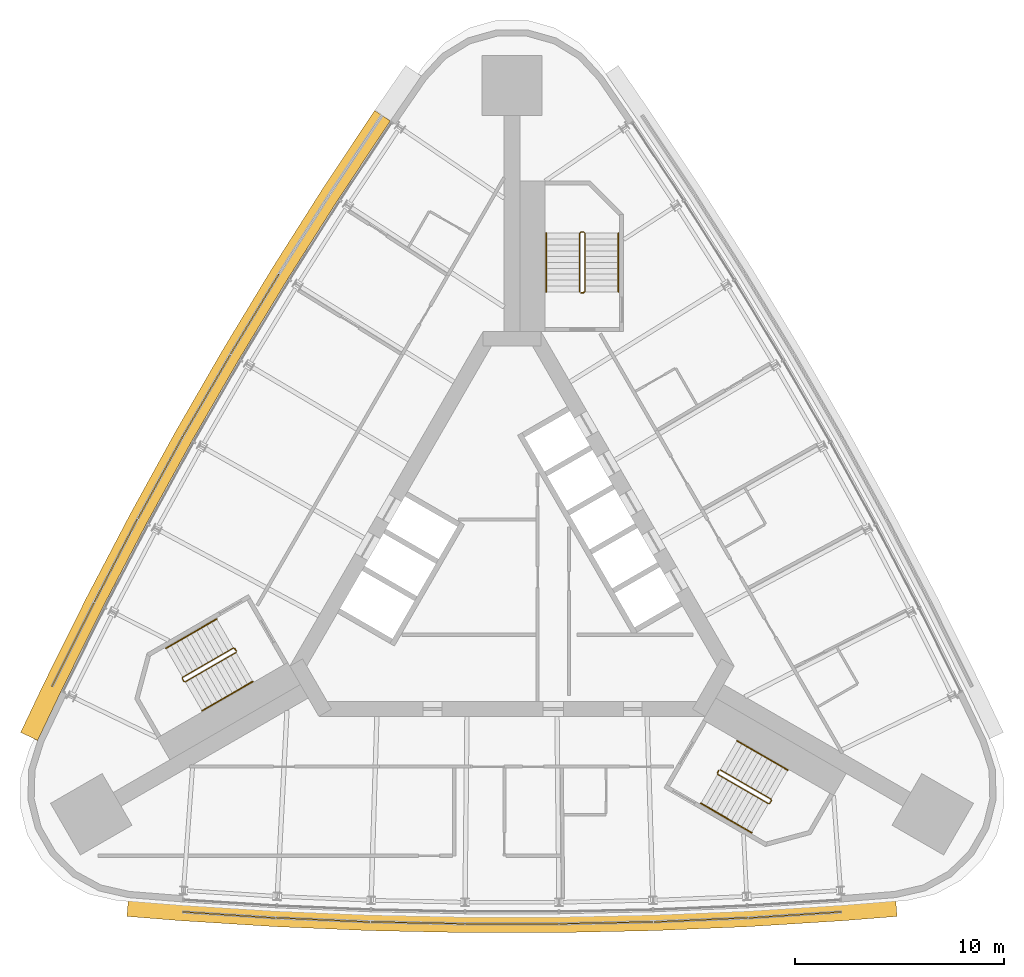
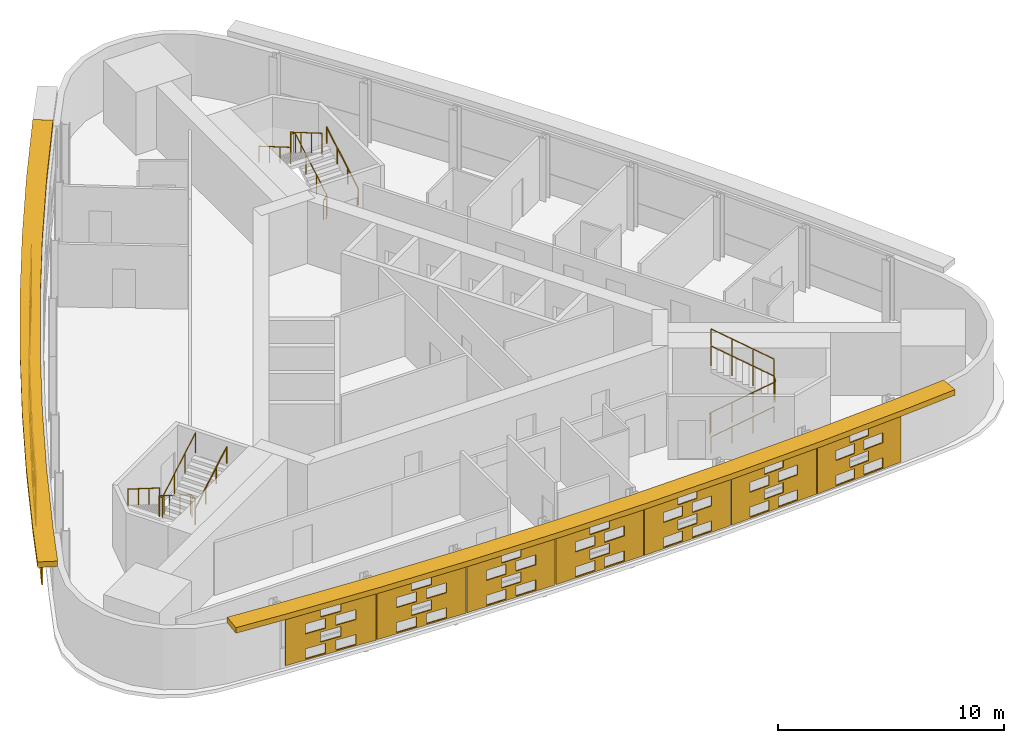
# One storey, part 11 of 12: 14 shading devices, 9 railings.
"""IFC4 building model written with IfcOpenShell, lengths in metres."""

from ifc_helpers import new_model, si_unit, direction, frame, origin, origin_2d, place, context, subcontext, project, spatial, polyline, circle, outline, extrude, material, material_profile, profile_set, type_object, element, save


model = new_model("IFC4")

# Units and contexts
model_context = context("Model", 3, precision=1e-05, world=origin(), true_north=direction((0.0, 1.0)))
body_context = subcontext(model_context, "Body", "Model", "MODEL_VIEW")
ifc_project = project(units=[si_unit("LENGTHUNIT", "METRE"), si_unit("AREAUNIT", "SQUARE_METRE"), si_unit("VOLUMEUNIT", "CUBIC_METRE"), si_unit("PLANEANGLEUNIT", "RADIAN"), si_unit("MASSUNIT", "GRAM", prefix="KILO")], contexts=[model_context])

# Site, building, storey
site_placement = place(None, origin())
site = spatial("IfcSite", under=ifc_project, at=site_placement, CompositionType="ELEMENT")
building_placement = place(site_placement, origin())
building = spatial("IfcBuilding", under=site, at=building_placement, Name="Noor Cloister Tower", CompositionType="ELEMENT")
storey_placement = place(building_placement, frame((0.0, 0.0, 158.10009765625)))
storey = spatial("IfcBuildingStorey", under=building, at=storey_placement, Name="L40", CompositionType="ELEMENT", Elevation=158.10009765625)

# Shading devices
ifc_material_1 = material(Name="Limestone", Category="masonry")
ifc_material_profile = material_profile(ifc_material_1, outline(polyline([(-2.22998046875, -1.35009765625), (2.22998046875, -1.35009765625), (2.22998046875, 1.35009765625), (-2.22998046875, 1.35009765625), (-2.22998046875, -1.35009765625)]), holes=[polyline([(-1.25, -1.282470703125), (-0.25, -1.282470703125), (-0.25, -0.742431640625), (-1.25, -0.742431640625), (-1.25, -1.282470703125)]), polyline([(0.25, -1.282470703125), (1.25, -1.282470703125), (1.25, -0.742431640625), (0.25, -0.742431640625), (0.25, -1.282470703125)]), polyline([(-0.5, -0.607421875), (0.5, -0.607421875), (0.5, -0.0673828125), (-0.5, -0.0673828125), (-0.5, -0.607421875)]), polyline([(-1.25, 0.0673828125), (-0.25, 0.0673828125), (-0.25, 0.607421875), (-1.25, 0.607421875), (-1.25, 0.0673828125)]), polyline([(0.25, 0.0673828125), (1.25, 0.0673828125), (1.25, 0.607421875), (0.25, 0.607421875), (0.25, 0.0673828125)]), polyline([(-0.5, 0.742431640625), (0.5, 0.742431640625), (0.5, 1.282470703125), (-0.5, 1.282470703125), (-0.5, 0.742431640625)])]), Name="Woven screen 30 percent open")
ifc_profile_set = profile_set([ifc_material_profile], Name="Limestone")
shading_device_type_1 = type_object("IfcShadingDeviceType", Name="SCREEN woven limestone 30 percent open", PredefinedType="USERDEFINED", material=ifc_profile_set)
for number, where, z_axis, x_axis, name in (
    (1, (-12.261474609375, 12.28564453125, 1.849853515625), (-0.855690023312, 0.517488728384, 0.0), (-0.517488728384, -0.855690023312, 0.0), "SCREEN L40 3"),
    (2, (-14.556884765625, 8.404296875, 1.849853515625), (-0.86496035152, 0.501840203948, 0.0), (-0.501840203948, -0.86496035152, 0.0), "SCREEN L40 4"),
):
    element("IfcShadingDevice", number, at=place(storey_placement, frame(where, z_axis=z_axis, x_axis=x_axis)), inside=storey, type_object=shading_device_type_1, Name=name, ObjectType="SCREEN", PredefinedType="USERDEFINED", context=body_context, shape_type="SweptSolid", body=[
        extrude(outline(polyline([(-2.22998046875, -1.35009765625), (2.22998046875, -1.35009765625), (2.22998046875, 1.35009765625), (-2.22998046875, 1.35009765625), (-2.22998046875, -1.35009765625)]), holes=[polyline([(-1.25, -1.282470703125), (-0.25, -1.282470703125), (-0.25, -0.742431640625), (-1.25, -0.742431640625), (-1.25, -1.282470703125)]), polyline([(0.25, -1.282470703125), (1.25, -1.282470703125), (1.25, -0.742431640625), (0.25, -0.742431640625), (0.25, -1.282470703125)]), polyline([(-0.5, -0.607421875), (0.5, -0.607421875), (0.5, -0.0673828125), (-0.5, -0.0673828125), (-0.5, -0.607421875)]), polyline([(-1.25, 0.0673828125), (-0.25, 0.0673828125), (-0.25, 0.607421875), (-1.25, 0.607421875), (-1.25, 0.0673828125)]), polyline([(0.25, 0.0673828125), (1.25, 0.0673828125), (1.25, 0.607421875), (0.25, 0.607421875), (0.25, 0.0673828125)]), polyline([(-0.5, 0.742431640625), (0.5, 0.742431640625), (0.5, 1.282470703125), (-0.5, 1.282470703125), (-0.5, 0.742431640625)])]), origin(), (0.0, 0.0, 1.0), 0.059814453125),
    ])
for number, where, z_axis, x_axis, name in (
    (3, (-16.770263671875, 4.47607421875, 1.849853515625), (-0.877584848731, 0.479421352547, 0.0), (-0.479421352547, -0.877584848731, 0.0), "SCREEN L40 5"),
    (4, (-18.901123046875, 0.502197265625, 1.849853515625), (-0.887816162103, 0.460198285861, 0.0), (-0.460198285861, -0.887816162103, 0.0), "SCREEN L40 6"),
    (5, (-20.9482421875, -3.515625, 1.849853515625), (-0.894427191, 0.4472135955, 0.0), (-0.4472135955, -0.894427191, 0.0), "SCREEN L40 7"),
):
    element("IfcShadingDevice", number, at=place(storey_placement, frame(where, z_axis=z_axis, x_axis=x_axis)), inside=storey, type_object=shading_device_type_1, Name=name, ObjectType="SCREEN", PredefinedType="USERDEFINED", context=body_context, shape_type="SweptSolid", body=[
        extrude(outline(polyline([(-2.22998046875, -1.35009765625), (2.22998046875, -1.35009765625), (2.22998046875, 1.35009765625), (-2.22998046875, 1.35009765625), (-2.22998046875, -1.35009765625)]), holes=[polyline([(-1.25, -1.282470703125), (-0.25, -1.282470703125), (-0.25, -0.742431640625), (-1.25, -0.742431640625), (-1.25, -1.282470703125)]), polyline([(0.25, -1.282470703125), (1.25, -1.282470703125), (1.25, -0.742431640625), (0.25, -0.742431640625), (0.25, -1.282470703125)]), polyline([(-0.5, -0.607421875), (0.5, -0.607421875), (0.5, -0.0673828125), (-0.5, -0.0673828125), (-0.5, -0.607421875)]), polyline([(-1.25, 0.0673828125), (-0.25, 0.0673828125), (-0.25, 0.607421875), (-1.25, 0.607421875), (-1.25, 0.0673828125)]), polyline([(0.25, 0.0673828125), (1.25, 0.0673828125), (1.25, 0.607421875), (0.25, 0.607421875), (0.25, 0.0673828125)]), polyline([(-0.5, 0.742431640625), (0.5, 0.742431640625), (0.5, 1.282470703125), (-0.5, 1.282470703125), (-0.5, 0.742431640625)])]), origin(), (0.0, 0.0, 1.0), 0.06005859375),
    ])
shading_device_1_placement = place(storey_placement, frame((-13.5185546875, -16.3837890625, 1.849853515625), z_axis=(-0.064903515062, -0.997891544073, 0.0), x_axis=(0.997891544073, -0.064903515062, 0.0)))
element("IfcShadingDevice", 6, at=shading_device_1_placement, inside=storey, type_object=shading_device_type_1, Name="SCREEN L40 1", ObjectType="SCREEN", PredefinedType="USERDEFINED", context=body_context, shape_type="SweptSolid", body=[
    extrude(outline(polyline([(-2.22998046875, -1.35009765625), (2.22998046875, -1.35009765625), (2.22998046875, 1.35009765625), (-2.22998046875, 1.35009765625), (-2.22998046875, -1.35009765625)]), holes=[polyline([(-1.25, -1.282470703125), (-0.25, -1.282470703125), (-0.25, -0.742431640625), (-1.25, -0.742431640625), (-1.25, -1.282470703125)]), polyline([(0.25, -1.282470703125), (1.25, -1.282470703125), (1.25, -0.742431640625), (0.25, -0.742431640625), (0.25, -1.282470703125)]), polyline([(-0.5, -0.607421875), (0.5, -0.607421875), (0.5, -0.0673828125), (-0.5, -0.0673828125), (-0.5, -0.607421875)]), polyline([(-1.25, 0.0673828125), (-0.25, 0.0673828125), (-0.25, 0.607421875), (-1.25, 0.607421875), (-1.25, 0.0673828125)]), polyline([(0.25, 0.0673828125), (1.25, 0.0673828125), (1.25, 0.607421875), (0.25, 0.607421875), (0.25, 0.0673828125)]), polyline([(-0.5, 0.742431640625), (0.5, 0.742431640625), (0.5, 1.282470703125), (-0.5, 1.282470703125), (-0.5, 0.742431640625)])]), origin(), (0.0, 0.0, 1.0), 0.060302734375),
])
for number, where, z_axis, x_axis, name in (
    (7, (-9.015625, -16.619873046875, 1.849853515625), (-0.044670810456, -0.999001761106, 0.0), (0.999001761106, -0.044670810456, 0.0), "SCREEN L40 2"),
    (8, (-4.5087890625, -16.761474609375, 1.849853515625), (-0.020321006241, -0.999793507033, 0.0), (0.999793507033, -0.020321006241, 0.0), "SCREEN L40 3"),
):
    element("IfcShadingDevice", number, at=place(storey_placement, frame(where, z_axis=z_axis, x_axis=x_axis)), inside=storey, type_object=shading_device_type_1, Name=name, ObjectType="SCREEN", PredefinedType="USERDEFINED", context=body_context, shape_type="SweptSolid", body=[
        extrude(outline(polyline([(-2.22998046875, -1.35009765625), (2.22998046875, -1.35009765625), (2.22998046875, 1.35009765625), (-2.22998046875, 1.35009765625), (-2.22998046875, -1.35009765625)]), holes=[polyline([(-1.25, -1.282470703125), (-0.25, -1.282470703125), (-0.25, -0.742431640625), (-1.25, -0.742431640625), (-1.25, -1.282470703125)]), polyline([(0.25, -1.282470703125), (1.25, -1.282470703125), (1.25, -0.742431640625), (0.25, -0.742431640625), (0.25, -1.282470703125)]), polyline([(-0.5, -0.607421875), (0.5, -0.607421875), (0.5, -0.0673828125), (-0.5, -0.0673828125), (-0.5, -0.607421875)]), polyline([(-1.25, 0.0673828125), (-0.25, 0.0673828125), (-0.25, 0.607421875), (-1.25, 0.607421875), (-1.25, 0.0673828125)]), polyline([(0.25, 0.0673828125), (1.25, 0.0673828125), (1.25, 0.607421875), (0.25, 0.607421875), (0.25, 0.0673828125)]), polyline([(-0.5, 0.742431640625), (0.5, 0.742431640625), (0.5, 1.282470703125), (-0.5, 1.282470703125), (-0.5, 0.742431640625)])]), origin(), (0.0, 0.0, 1.0), 0.06005859375),
    ])
shading_device_2_placement = place(storey_placement, frame((0.0, -16.808837890625, 1.849853515625), z_axis=(0.0, -1.0, 0.0), x_axis=(1.0, 0.0, 0.0)))
element("IfcShadingDevice", 9, at=shading_device_2_placement, inside=storey, type_object=shading_device_type_1, Name="SCREEN L40 4", ObjectType="SCREEN", PredefinedType="USERDEFINED", context=body_context, shape_type="SweptSolid", body=[
    extrude(outline(polyline([(-2.22998046875, -1.35009765625), (2.22998046875, -1.35009765625), (2.22998046875, 1.35009765625), (-2.22998046875, 1.35009765625), (-2.22998046875, -1.35009765625)]), holes=[polyline([(-1.25, -1.282470703125), (-0.25, -1.282470703125), (-0.25, -0.742431640625), (-1.25, -0.742431640625), (-1.25, -1.282470703125)]), polyline([(0.25, -1.282470703125), (1.25, -1.282470703125), (1.25, -0.742431640625), (0.25, -0.742431640625), (0.25, -1.282470703125)]), polyline([(-0.5, -0.607421875), (0.5, -0.607421875), (0.5, -0.0673828125), (-0.5, -0.0673828125), (-0.5, -0.607421875)]), polyline([(-1.25, 0.0673828125), (-0.25, 0.0673828125), (-0.25, 0.607421875), (-1.25, 0.607421875), (-1.25, 0.0673828125)]), polyline([(0.25, 0.0673828125), (1.25, 0.0673828125), (1.25, 0.607421875), (0.25, 0.607421875), (0.25, 0.0673828125)]), polyline([(-0.5, 0.742431640625), (0.5, 0.742431640625), (0.5, 1.282470703125), (-0.5, 1.282470703125), (-0.5, 0.742431640625)])]), origin(), (0.0, 0.0, 1.0), 0.059814453125),
])
for number, where, z_axis, x_axis, name in (
    (10, (4.5087890625, -16.761474609375, 1.849853515625), (0.020321006241, -0.999793507033, 0.0), (0.999793507033, 0.020321006241, 0.0), "SCREEN L40 5"),
    (11, (9.015625, -16.619873046875, 1.849853515625), (0.044670810456, -0.999001761106, 0.0), (0.999001761106, 0.044670810456, 0.0), "SCREEN L40 6"),
):
    element("IfcShadingDevice", number, at=place(storey_placement, frame(where, z_axis=z_axis, x_axis=x_axis)), inside=storey, type_object=shading_device_type_1, Name=name, ObjectType="SCREEN", PredefinedType="USERDEFINED", context=body_context, shape_type="SweptSolid", body=[
        extrude(outline(polyline([(-2.22998046875, -1.35009765625), (2.22998046875, -1.35009765625), (2.22998046875, 1.35009765625), (-2.22998046875, 1.35009765625), (-2.22998046875, -1.35009765625)]), holes=[polyline([(-1.25, -1.282470703125), (-0.25, -1.282470703125), (-0.25, -0.742431640625), (-1.25, -0.742431640625), (-1.25, -1.282470703125)]), polyline([(0.25, -1.282470703125), (1.25, -1.282470703125), (1.25, -0.742431640625), (0.25, -0.742431640625), (0.25, -1.282470703125)]), polyline([(-0.5, -0.607421875), (0.5, -0.607421875), (0.5, -0.0673828125), (-0.5, -0.0673828125), (-0.5, -0.607421875)]), polyline([(-1.25, 0.0673828125), (-0.25, 0.0673828125), (-0.25, 0.607421875), (-1.25, 0.607421875), (-1.25, 0.0673828125)]), polyline([(0.25, 0.0673828125), (1.25, 0.0673828125), (1.25, 0.607421875), (0.25, 0.607421875), (0.25, 0.0673828125)]), polyline([(-0.5, 0.742431640625), (0.5, 0.742431640625), (0.5, 1.282470703125), (-0.5, 1.282470703125), (-0.5, 0.742431640625)])]), origin(), (0.0, 0.0, 1.0), 0.06005859375),
    ])
shading_device_3_placement = place(storey_placement, frame((13.5185546875, -16.3837890625, 1.849853515625), z_axis=(0.064903515062, -0.997891544073, 0.0), x_axis=(0.997891544073, 0.064903515062, 0.0)))
element("IfcShadingDevice", 12, at=shading_device_3_placement, inside=storey, type_object=shading_device_type_1, Name="SCREEN L40 7", ObjectType="SCREEN", PredefinedType="USERDEFINED", context=body_context, shape_type="SweptSolid", body=[
    extrude(outline(polyline([(-2.22998046875, -1.35009765625), (2.22998046875, -1.35009765625), (2.22998046875, 1.35009765625), (-2.22998046875, 1.35009765625), (-2.22998046875, -1.35009765625)]), holes=[polyline([(-1.25, -1.282470703125), (-0.25, -1.282470703125), (-0.25, -0.742431640625), (-1.25, -0.742431640625), (-1.25, -1.282470703125)]), polyline([(0.25, -1.282470703125), (1.25, -1.282470703125), (1.25, -0.742431640625), (0.25, -0.742431640625), (0.25, -1.282470703125)]), polyline([(-0.5, -0.607421875), (0.5, -0.607421875), (0.5, -0.0673828125), (-0.5, -0.0673828125), (-0.5, -0.607421875)]), polyline([(-1.25, 0.0673828125), (-0.25, 0.0673828125), (-0.25, 0.607421875), (-1.25, 0.607421875), (-1.25, 0.0673828125)]), polyline([(0.25, 0.0673828125), (1.25, 0.0673828125), (1.25, 0.607421875), (0.25, 0.607421875), (0.25, 0.0673828125)]), polyline([(-0.5, 0.742431640625), (0.5, 0.742431640625), (0.5, 1.282470703125), (-0.5, 1.282470703125), (-0.5, 0.742431640625)])]), origin(), (0.0, 0.0, 1.0), 0.060302734375),
])
ifc_material_2 = material(Name="Limestone", Category="masonry")
shading_device_type_2 = type_object("IfcShadingDeviceType", Name="SUNSHADE limestone band 900", PredefinedType="USERDEFINED", material=ifc_material_2)
shading_device_4_placement = place(storey_placement, frame((0.0, 0.0, 3.2998046875)))
element("IfcShadingDevice", 13, at=shading_device_4_placement, inside=storey, type_object=shading_device_type_2, Name="SUNSHADE L40 1", ObjectType="SUNSHADE", PredefinedType="USERDEFINED", context=body_context, shape_type="SweptSolid", body=[
    extrude(outline(polyline([(-6.559326171875, 22.0224609375), (-9.0546875, 18.2666015625), (-11.47607421875, 14.451171875), (-13.81689453125, 10.5859375), (-16.076171875, 6.672607421875), (-18.253173828125, 2.712890625), (-20.3466796875, -1.291748046875), (-22.35498046875, -5.33740234375), (-23.47509765625, -7.69091796875), (-22.66259765625, -8.077880859375), (-21.54541015625, -5.73095703125), (-19.544677734375, -1.7001953125), (-17.4599609375, 2.28759765625), (-15.2919921875, 6.23095703125), (-13.0419921875, 10.1279296875), (-10.7109375, 13.97705078125), (-8.2998046875, 17.7763671875), (-5.8095703125, 21.5244140625), (-6.559326171875, 22.0224609375)])), origin(), (0.0, 0.0, 1.0), 0.300048828125),
])
shading_device_5_placement = place(storey_placement, frame((0.0, 0.0, 3.2998046875)))
element("IfcShadingDevice", 14, at=shading_device_5_placement, inside=storey, type_object=shading_device_type_2, Name="SUNSHADE L40 2", ObjectType="SUNSHADE", PredefinedType="USERDEFINED", context=body_context, shape_type="SweptSolid", body=[
    extrude(outline(polyline([(-18.398193359375, -16.484619140625), (-15.7998046875, -16.691162109375), (-11.2919921875, -16.974853515625), (-6.777099609375, -17.1640625), (-2.25927734375, -17.2587890625), (2.25927734375, -17.2587890625), (6.777099609375, -17.1640625), (11.2919921875, -16.974853515625), (15.7998046875, -16.691162109375), (18.398193359375, -16.484619140625), (18.326904296875, -15.58740234375), (15.73583984375, -15.79345703125), (11.244873046875, -16.075927734375), (6.748779296875, -16.264404296875), (2.25, -16.358642578125), (-2.25, -16.358642578125), (-6.748779296875, -16.264404296875), (-11.244873046875, -16.075927734375), (-15.73583984375, -15.79345703125), (-18.326904296875, -15.58740234375), (-18.398193359375, -16.484619140625)])), origin(), (0.0, 0.0, 1.0), 0.300048828125),
])

# Railings
ifc_material_3 = material(Name="Stainless steel", Category="steel")
railing_type_1 = type_object("IfcRailingType", Name="Stair guard 1100", PredefinedType="GUARDRAIL", material=ifc_material_3)
railing_1_placement = place(storey_placement, frame((3.435546875, 13.306396484375, 0.0)))
element("IfcRailing", 15, at=railing_1_placement, inside=storey, type_object=railing_type_1, Name="Stair guard ST1 L40", PredefinedType="GUARDRAIL", context=body_context, shape_type="SweptSolid", body=[
    extrude(circle(Radius=0.02392578125, at=origin_2d()), frame((0.0, 0.0, 1.076171875), z_axis=(-1.0, 0.0, 0.0), x_axis=(0.0, -1.0, 0.0)), (0.0, 0.0, 1.0), 0.14990234375),
    extrude(circle(Radius=0.02392578125, at=origin_2d()), frame((-0.14990234375, 0.0, 1.076171875), z_axis=(0.759870394187, 0.190199549216, 0.621627795), x_axis=(-0.242814311512, 0.970072785993, 0.0)), (0.0, 0.0, 1.0), 0.26318359375),
    extrude(circle(Radius=0.02392578125, at=origin_2d()), frame((0.050048828125, 0.050048828125, 1.23974609375), z_axis=(0.0, 0.863393664356, 0.504530851732), x_axis=(-1.0, 0.0, 0.0)), (0.0, 0.0, 1.0), 3.2431640625),
    extrude(circle(Radius=0.02392578125, at=origin_2d()), frame((0.050048828125, 2.85009765625, 2.8759765625), z_axis=(-0.708833529934, 0.705375805398, 0.0), x_axis=(-0.705375805398, -0.708833529934, 0.0)), (0.0, 0.0, 1.0), 0.070556640625),
    extrude(circle(Radius=0.02392578125, at=origin_2d()), frame((0.0, 2.89990234375, 2.8759765625), z_axis=(-1.0, 0.0, 0.0), x_axis=(0.0, -1.0, 0.0)), (0.0, 0.0, 1.0), 0.14990234375),
    extrude(circle(Radius=0.02392578125, at=origin_2d()), frame((-0.14990234375, 2.89990234375, 2.8759765625), z_axis=(-0.280563532951, -0.279194930351, 0.91833234444), x_axis=(0.705375805398, -0.708833529934, 0.0)), (0.0, 0.0, 1.0), 0.178466796875),
    extrude(circle(Radius=0.02392578125, at=origin_2d()), frame((-0.199951171875, 2.85009765625, 3.03955078125), z_axis=(0.0, -0.863393664356, 0.504530851732), x_axis=(1.0, 0.0, 0.0)), (0.0, 0.0, 1.0), 3.2431640625),
    extrude(circle(Radius=0.02099609375, at=origin_2d()), origin(), (0.0, 0.0, 1.0), 1.052001953125),
    extrude(circle(Radius=0.02099609375, at=origin_2d()), frame((-0.14990234375, 0.0, 0.0)), (0.0, 0.0, 1.0), 1.052001953125),
    extrude(circle(Radius=0.02099609375, at=origin_2d()), frame((0.050048828125, 0.050048828125, 0.16357421875)), (0.0, 0.0, 1.0), 1.052001953125),
    extrude(circle(Radius=0.02099609375, at=origin_2d()), frame((0.050048828125, 0.9833984375, 0.708984375)), (0.0, 0.0, 1.0), 1.052001953125),
    extrude(circle(Radius=0.02099609375, at=origin_2d()), frame((0.050048828125, 1.916748046875, 1.25439453125)), (0.0, 0.0, 1.0), 1.052001953125),
    extrude(circle(Radius=0.02099609375, at=origin_2d()), frame((0.050048828125, 2.85009765625, 1.7998046875)), (0.0, 0.0, 1.0), 1.052001953125),
    extrude(circle(Radius=0.02099609375, at=origin_2d()), frame((0.0, 2.89990234375, 1.7998046875)), (0.0, 0.0, 1.0), 1.052001953125),
    extrude(circle(Radius=0.02099609375, at=origin_2d()), frame((-0.14990234375, 2.89990234375, 1.7998046875)), (0.0, 0.0, 1.0), 1.052001953125),
    extrude(circle(Radius=0.02099609375, at=origin_2d()), frame((-0.199951171875, 2.85009765625, 1.963623046875)), (0.0, 0.0, 1.0), 1.052001953125),
    extrude(circle(Radius=0.02099609375, at=origin_2d()), frame((-0.199951171875, 1.916748046875, 2.509033203125)), (0.0, 0.0, 1.0), 1.052001953125),
    extrude(circle(Radius=0.02099609375, at=origin_2d()), frame((-0.199951171875, 0.9833984375, 3.054443359375)), (0.0, 0.0, 1.0), 1.052001953125),
    extrude(circle(Radius=0.02099609375, at=origin_2d()), frame((-0.199951171875, 0.050048828125, 3.599853515625)), (0.0, 0.0, 1.0), 1.052001953125),
])
railing_2_placement = place(storey_placement, frame((-13.241455078125, -3.677734375, 0.0)))
element("IfcRailing", 16, at=railing_2_placement, inside=storey, type_object=railing_type_1, Name="Stair guard ST2 L40", PredefinedType="GUARDRAIL", context=body_context, shape_type="SweptSolid", body=[
    extrude(circle(Radius=0.02392578125, at=origin_2d()), frame((0.0, 0.0, 1.076171875), z_axis=(0.499112439033, -0.866537231285, 0.0), x_axis=(0.866537231285, 0.499112439033, 0.0)), (0.0, 0.0, 1.0), 0.150146484375),
    extrude(circle(Radius=0.02392578125, at=origin_2d()), frame((0.074951171875, -0.130126953125, 1.076171875), z_axis=(-0.544565797804, 0.563119998752, 0.621565731736), x_axis=(-0.718850276695, -0.695164929852, 0.0)), (0.0, 0.0, 1.0), 0.26318359375),
    extrude(circle(Radius=0.02392578125, at=origin_2d()), frame((-0.068359375, 0.01806640625, 1.23974609375), z_axis=(-0.74771821388, -0.431677027627, 0.504551698492), x_axis=(0.49998411664, -0.866034573852, 0.0)), (0.0, 0.0, 1.0), 3.242919921875),
    extrude(circle(Radius=0.02392578125, at=origin_2d()), frame((-2.4931640625, -1.3818359375, 2.8759765625), z_axis=(-0.258736085224, -0.965948051503, 0.0), x_axis=(0.965948051503, -0.258736085224, 0.0)), (0.0, 0.0, 1.0), 0.07080078125),
    extrude(circle(Radius=0.02392578125, at=origin_2d()), frame((-2.511474609375, -1.4501953125, 2.8759765625), z_axis=(0.499816412211, -0.866131372301, 0.0), x_axis=(0.866131372301, 0.499816412211, 0.0)), (0.0, 0.0, 1.0), 0.14990234375),
    extrude(circle(Radius=0.02392578125, at=origin_2d()), frame((-2.4365234375, -1.580078125, 2.8759765625), z_axis=(0.383070988865, -0.102608300589, 0.918002262601), x_axis=(0.258736085224, 0.965948051503, 0.0)), (0.0, 0.0, 1.0), 0.178466796875),
    extrude(circle(Radius=0.02392578125, at=origin_2d()), frame((-2.3681640625, -1.598388671875, 3.03955078125), z_axis=(0.747693913401, 0.431738279637, 0.504535300807), x_axis=(-0.500049511043, 0.865996816683, 0.0)), (0.0, 0.0, 1.0), 3.2431640625),
    extrude(circle(Radius=0.02099609375, at=origin_2d()), origin(), (0.0, 0.0, 1.0), 1.052001953125),
    extrude(circle(Radius=0.02099609375, at=origin_2d()), frame((0.074951171875, -0.130126953125, 0.0)), (0.0, 0.0, 1.0), 1.052001953125),
    extrude(circle(Radius=0.02099609375, at=origin_2d()), frame((-0.068359375, 0.01806640625, 0.16357421875)), (0.0, 0.0, 1.0), 1.052001953125),
    extrude(circle(Radius=0.02099609375, at=origin_2d()), frame((-0.876708984375, -0.448486328125, 0.708984375)), (0.0, 0.0, 1.0), 1.052001953125),
    extrude(circle(Radius=0.02099609375, at=origin_2d()), frame((-1.684814453125, -0.915283203125, 1.25439453125)), (0.0, 0.0, 1.0), 1.052001953125),
    extrude(circle(Radius=0.02099609375, at=origin_2d()), frame((-2.4931640625, -1.3818359375, 1.7998046875)), (0.0, 0.0, 1.0), 1.052001953125),
    extrude(circle(Radius=0.02099609375, at=origin_2d()), frame((-2.511474609375, -1.4501953125, 1.7998046875)), (0.0, 0.0, 1.0), 1.052001953125),
    extrude(circle(Radius=0.02099609375, at=origin_2d()), frame((-2.4365234375, -1.580078125, 1.7998046875)), (0.0, 0.0, 1.0), 1.052001953125),
    extrude(circle(Radius=0.02099609375, at=origin_2d()), frame((-2.3681640625, -1.598388671875, 1.963623046875)), (0.0, 0.0, 1.0), 1.052001953125),
    extrude(circle(Radius=0.02099609375, at=origin_2d()), frame((-1.559814453125, -1.131591796875, 2.509033203125)), (0.0, 0.0, 1.0), 1.052001953125),
    extrude(circle(Radius=0.02099609375, at=origin_2d()), frame((-0.751708984375, -0.6650390625, 3.054443359375)), (0.0, 0.0, 1.0), 1.052001953125),
    extrude(circle(Radius=0.02099609375, at=origin_2d()), frame((0.056640625, -0.1982421875, 3.599853515625)), (0.0, 0.0, 1.0), 1.052001953125),
])
railing_3_placement = place(storey_placement, frame((9.805908203125, -9.628662109375, 0.0)))
element("IfcRailing", 17, at=railing_3_placement, inside=storey, type_object=railing_type_1, Name="Stair guard ST3 L40", PredefinedType="GUARDRAIL", context=body_context, shape_type="SweptSolid", body=[
    extrude(circle(Radius=0.02392578125, at=origin_2d()), frame((0.0, 0.0, 1.076171875), z_axis=(0.499112439033, 0.866537231285, 0.0), x_axis=(-0.866537231285, 0.499112439033, 0.0)), (0.0, 0.0, 1.0), 0.150146484375),
    extrude(circle(Radius=0.02392578125, at=origin_2d()), frame((0.074951171875, 0.130126953125, 1.076171875), z_axis=(-0.215214839654, -0.753251938789, 0.621525614518), x_axis=(0.961523947641, -0.274721127897, 0.0)), (0.0, 0.0, 1.0), 0.26318359375),
    extrude(circle(Radius=0.02392578125, at=origin_2d()), frame((0.018310546875, -0.068115234375, 1.23974609375), z_axis=(0.747693913401, -0.431738279637, 0.504535300807), x_axis=(0.500049511043, 0.865996816683, 0.0)), (0.0, 0.0, 1.0), 3.2431640625),
    extrude(circle(Radius=0.02392578125, at=origin_2d()), frame((2.443115234375, -1.46826171875, 2.8759765625), z_axis=(0.965948051503, 0.258736085224, 0.0), x_axis=(-0.258736085224, 0.965948051503, 0.0)), (0.0, 0.0, 1.0), 0.07080078125),
    extrude(circle(Radius=0.02392578125, at=origin_2d()), frame((2.511474609375, -1.449951171875, 2.8759765625), z_axis=(0.499816412211, 0.866131372301, 0.0), x_axis=(-0.866131372301, 0.499816412211, 0.0)), (0.0, 0.0, 1.0), 0.14990234375),
    extrude(circle(Radius=0.02392578125, at=origin_2d()), frame((2.58642578125, -1.320068359375, 2.8759765625), z_axis=(-0.102608300589, 0.383070988865, 0.918002262601), x_axis=(-0.965948051503, -0.258736085224, 0.0)), (0.0, 0.0, 1.0), 0.178466796875),
    extrude(circle(Radius=0.02392578125, at=origin_2d()), frame((2.568115234375, -1.251708984375, 3.03955078125), z_axis=(-0.74771821388, 0.431677027627, 0.504551698492), x_axis=(-0.49998411664, -0.866034573852, 0.0)), (0.0, 0.0, 1.0), 3.242919921875),
    extrude(circle(Radius=0.02099609375, at=origin_2d()), origin(), (0.0, 0.0, 1.0), 1.052001953125),
    extrude(circle(Radius=0.02099609375, at=origin_2d()), frame((0.074951171875, 0.130126953125, 0.0)), (0.0, 0.0, 1.0), 1.052001953125),
    extrude(circle(Radius=0.02099609375, at=origin_2d()), frame((0.018310546875, -0.068115234375, 0.16357421875)), (0.0, 0.0, 1.0), 1.052001953125),
    extrude(circle(Radius=0.02099609375, at=origin_2d()), frame((0.82666015625, -0.534912109375, 0.708984375)), (0.0, 0.0, 1.0), 1.052001953125),
    extrude(circle(Radius=0.02099609375, at=origin_2d()), frame((1.634765625, -1.00146484375, 1.25439453125)), (0.0, 0.0, 1.0), 1.052001953125),
    extrude(circle(Radius=0.02099609375, at=origin_2d()), frame((2.443115234375, -1.46826171875, 1.7998046875)), (0.0, 0.0, 1.0), 1.052001953125),
    extrude(circle(Radius=0.02099609375, at=origin_2d()), frame((2.511474609375, -1.449951171875, 1.7998046875)), (0.0, 0.0, 1.0), 1.052001953125),
    extrude(circle(Radius=0.02099609375, at=origin_2d()), frame((2.58642578125, -1.320068359375, 1.7998046875)), (0.0, 0.0, 1.0), 1.052001953125),
    extrude(circle(Radius=0.02099609375, at=origin_2d()), frame((2.568115234375, -1.251708984375, 1.963623046875)), (0.0, 0.0, 1.0), 1.052001953125),
    extrude(circle(Radius=0.02099609375, at=origin_2d()), frame((1.759765625, -0.78515625, 2.509033203125)), (0.0, 0.0, 1.0), 1.052001953125),
    extrude(circle(Radius=0.02099609375, at=origin_2d()), frame((0.95166015625, -0.318359375, 3.054443359375)), (0.0, 0.0, 1.0), 1.052001953125),
    extrude(circle(Radius=0.02099609375, at=origin_2d()), frame((0.143310546875, 0.148193359375, 3.599853515625)), (0.0, 0.0, 1.0), 1.052001953125),
])
ifc_material_4 = material(Name="Stainless steel", Category="steel")
railing_type_2 = type_object("IfcRailingType", Name="Stair handrail 900", PredefinedType="HANDRAIL", material=ifc_material_4)
railing_4_placement = place(storey_placement, frame((5.085693359375, 13.3564453125, 0.16357421875)))
element("IfcRailing", 18, at=railing_4_placement, inside=storey, type_object=railing_type_2, Name="Stair handrail ST1 L40 1", PredefinedType="HANDRAIL", context=body_context, shape_type="SweptSolid", body=[
    extrude(circle(Radius=0.02392578125, at=origin_2d()), frame((0.0, 0.0, 0.8759765625), z_axis=(0.0, 0.863393664356, 0.504530851732), x_axis=(-1.0, 0.0, 0.0)), (0.0, 0.0, 1.0), 3.2431640625),
    extrude(circle(Radius=0.02099609375, at=origin_2d()), origin(), (0.0, 0.0, 1.0), 0.851806640625),
    extrude(circle(Radius=0.02099609375, at=origin_2d()), frame((0.0, 0.933349609375, 0.54541015625)), (0.0, 0.0, 1.0), 0.851806640625),
    extrude(circle(Radius=0.02099609375, at=origin_2d()), frame((0.0, 1.86669921875, 1.0908203125)), (0.0, 0.0, 1.0), 0.851806640625),
    extrude(circle(Radius=0.02099609375, at=origin_2d()), frame((0.0, 2.800048828125, 1.63623046875)), (0.0, 0.0, 1.0), 0.851806640625),
])
railing_5_placement = place(storey_placement, frame((1.6357421875, 16.156494140625, 1.963623046875)))
element("IfcRailing", 19, at=railing_5_placement, inside=storey, type_object=railing_type_2, Name="Stair handrail ST1 L40 2", PredefinedType="HANDRAIL", context=body_context, shape_type="SweptSolid", body=[
    extrude(circle(Radius=0.02392578125, at=origin_2d()), frame((0.0, 0.0, 0.8759765625), z_axis=(0.0, -0.863393664356, 0.504530851732), x_axis=(1.0, 0.0, 0.0)), (0.0, 0.0, 1.0), 3.2431640625),
    extrude(circle(Radius=0.02099609375, at=origin_2d()), origin(), (0.0, 0.0, 1.0), 0.851806640625),
    extrude(circle(Radius=0.02099609375, at=origin_2d()), frame((0.0, -0.933349609375, 0.54541015625)), (0.0, 0.0, 1.0), 0.851806640625),
    extrude(circle(Radius=0.02099609375, at=origin_2d()), frame((0.0, -1.86669921875, 1.0908203125)), (0.0, 0.0, 1.0), 0.851806640625),
    extrude(circle(Radius=0.02099609375, at=origin_2d()), frame((0.0, -2.800048828125, 1.63623046875)), (0.0, 0.0, 1.0), 0.851806640625),
])
railing_6_placement = place(storey_placement, frame((-14.10986328125, -2.27392578125, 0.16357421875)))
element("IfcRailing", 20, at=railing_6_placement, inside=storey, type_object=railing_type_2, Name="Stair handrail ST2 L40 1", PredefinedType="HANDRAIL", context=body_context, shape_type="SweptSolid", body=[
    extrude(circle(Radius=0.02392578125, at=origin_2d()), frame((0.0, 0.0, 0.8759765625), z_axis=(-0.74771821388, -0.431677027627, 0.504551698492), x_axis=(0.49998411664, -0.866034573852, 0.0)), (0.0, 0.0, 1.0), 3.242919921875),
    extrude(circle(Radius=0.02099609375, at=origin_2d()), origin(), (0.0, 0.0, 1.0), 0.851806640625),
    extrude(circle(Radius=0.02099609375, at=origin_2d()), frame((-0.808349609375, -0.466552734375, 0.54541015625)), (0.0, 0.0, 1.0), 0.851806640625),
    extrude(circle(Radius=0.02099609375, at=origin_2d()), frame((-1.616455078125, -0.933349609375, 1.0908203125)), (0.0, 0.0, 1.0), 0.851806640625),
    extrude(circle(Radius=0.02099609375, at=origin_2d()), frame((-2.4248046875, -1.39990234375, 1.63623046875)), (0.0, 0.0, 1.0), 0.851806640625),
])
railing_7_placement = place(storey_placement, frame((-14.8095703125, -6.66162109375, 1.963623046875)))
element("IfcRailing", 21, at=railing_7_placement, inside=storey, type_object=railing_type_2, Name="Stair handrail ST2 L40 2", PredefinedType="HANDRAIL", context=body_context, shape_type="SweptSolid", body=[
    extrude(circle(Radius=0.02392578125, at=origin_2d()), frame((0.0, 0.0, 0.8759765625), z_axis=(0.74771821388, 0.431677027627, 0.504551698492), x_axis=(-0.49998411664, 0.866034573852, 0.0)), (0.0, 0.0, 1.0), 3.242919921875),
    extrude(circle(Radius=0.02099609375, at=origin_2d()), origin(), (0.0, 0.0, 1.0), 0.851806640625),
    extrude(circle(Radius=0.02099609375, at=origin_2d()), frame((0.808349609375, 0.466552734375, 0.54541015625)), (0.0, 0.0, 1.0), 0.851806640625),
    extrude(circle(Radius=0.02099609375, at=origin_2d()), frame((1.616455078125, 0.933349609375, 1.0908203125)), (0.0, 0.0, 1.0), 0.851806640625),
    extrude(circle(Radius=0.02099609375, at=origin_2d()), frame((2.4248046875, 1.39990234375, 1.63623046875)), (0.0, 0.0, 1.0), 0.851806640625),
])
railing_8_placement = place(storey_placement, frame((9.024169921875, -11.08251953125, 0.16357421875)))
element("IfcRailing", 22, at=railing_8_placement, inside=storey, type_object=railing_type_2, Name="Stair handrail ST3 L40 1", PredefinedType="HANDRAIL", context=body_context, shape_type="SweptSolid", body=[
    extrude(circle(Radius=0.02392578125, at=origin_2d()), frame((0.0, 0.0, 0.8759765625), z_axis=(0.74771821388, -0.431677027627, 0.504551698492), x_axis=(0.49998411664, 0.866034573852, 0.0)), (0.0, 0.0, 1.0), 3.242919921875),
    extrude(circle(Radius=0.02099609375, at=origin_2d()), origin(), (0.0, 0.0, 1.0), 0.851806640625),
    extrude(circle(Radius=0.02099609375, at=origin_2d()), frame((0.808349609375, -0.466552734375, 0.54541015625)), (0.0, 0.0, 1.0), 0.851806640625),
    extrude(circle(Radius=0.02099609375, at=origin_2d()), frame((1.616455078125, -0.933349609375, 1.0908203125)), (0.0, 0.0, 1.0), 0.851806640625),
    extrude(circle(Radius=0.02099609375, at=origin_2d()), frame((2.4248046875, -1.39990234375, 1.63623046875)), (0.0, 0.0, 1.0), 0.851806640625),
])
railing_9_placement = place(storey_placement, frame((13.174072265625, -9.49462890625, 1.963623046875)))
element("IfcRailing", 23, at=railing_9_placement, inside=storey, type_object=railing_type_2, Name="Stair handrail ST3 L40 2", PredefinedType="HANDRAIL", context=body_context, shape_type="SweptSolid", body=[
    extrude(circle(Radius=0.02392578125, at=origin_2d()), frame((0.0, 0.0, 0.8759765625), z_axis=(-0.74771821388, 0.431677027627, 0.504551698492), x_axis=(-0.49998411664, -0.866034573852, 0.0)), (0.0, 0.0, 1.0), 3.242919921875),
    extrude(circle(Radius=0.02099609375, at=origin_2d()), origin(), (0.0, 0.0, 1.0), 0.851806640625),
    extrude(circle(Radius=0.02099609375, at=origin_2d()), frame((-0.808349609375, 0.466552734375, 0.54541015625)), (0.0, 0.0, 1.0), 0.851806640625),
    extrude(circle(Radius=0.02099609375, at=origin_2d()), frame((-1.616455078125, 0.933349609375, 1.0908203125)), (0.0, 0.0, 1.0), 0.851806640625),
    extrude(circle(Radius=0.02099609375, at=origin_2d()), frame((-2.4248046875, 1.39990234375, 1.63623046875)), (0.0, 0.0, 1.0), 0.851806640625),
])

save(model, "model.ifc")
